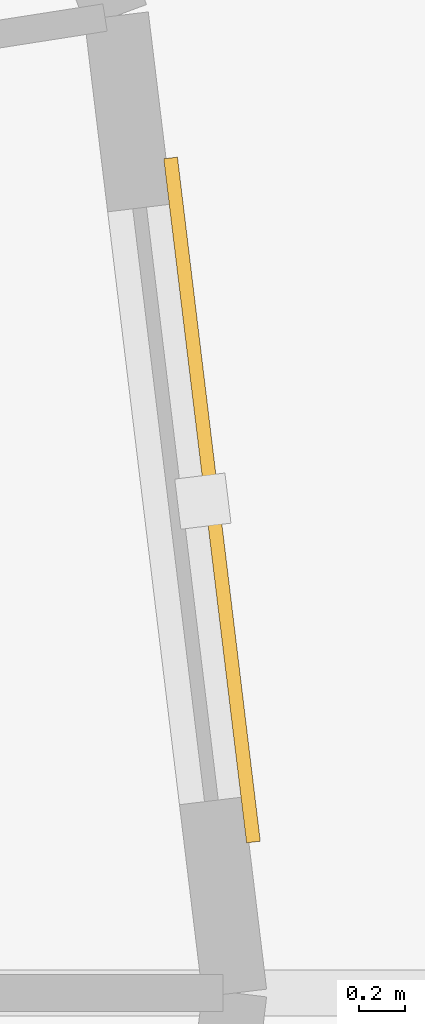
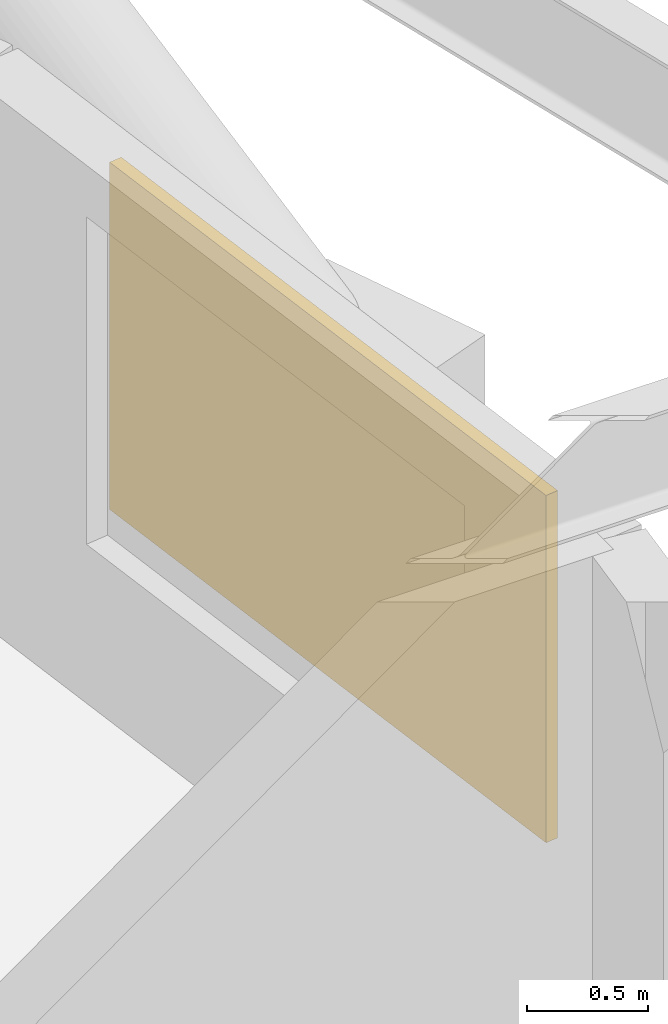
# One storey, part 14 of 14: 1 shading device.
"""IFC4 building model written with IfcOpenShell, lengths in metres."""

from ifc_helpers import new_model, si_unit, direction, frame, origin, origin_2d, place, context, subcontext, project, spatial, rectangle, extrude, material, layer, layer_set, type_object, element, save


model = new_model("IFC4")

# Units and contexts
model_context = context("Model", 3, precision=1e-05, world=origin(), true_north=direction((0.0, 1.0)))
body_context = subcontext(model_context, "Body", "Model", "MODEL_VIEW")
ifc_project = project(units=[si_unit("LENGTHUNIT", "METRE"), si_unit("AREAUNIT", "SQUARE_METRE"), si_unit("VOLUMEUNIT", "CUBIC_METRE"), si_unit("PLANEANGLEUNIT", "RADIAN"), si_unit("MASSUNIT", "GRAM", prefix="KILO")], contexts=[model_context])

# Site, building, storey
site_placement = place(None, origin())
site = spatial("IfcSite", under=ifc_project, at=site_placement, CompositionType="ELEMENT")
building_placement = place(site_placement, origin())
building = spatial("IfcBuilding", under=site, at=building_placement, Name="Veldorina Hangang Commons", CompositionType="ELEMENT")
storey_placement = place(building_placement, frame((0.0, 0.0, 62.800048828125)))
storey = spatial("IfcBuildingStorey", under=building, at=storey_placement, Name="L15", CompositionType="ELEMENT", Elevation=62.800048828125)

# Shading device
ifc_material = material(Name="Ceramic Glazed Terracotta", Category="masonry")
ifc_layer = layer(ifc_material, 0.06005859375)
ifc_layer_set = layer_set([ifc_layer], Name="Ceramic Glazed Terracotta")
shading_device_type = type_object("IfcShadingDeviceType", Name="SCR-CER-3000", PredefinedType="USERDEFINED", material=ifc_layer_set)
shading_device_placement = place(storey_placement, frame((58.71142578125, 26.146728515625, 0.75), z_axis=(0.0, 0.0, 1.0), x_axis=(-0.120188819323, 0.992751050218, 0.0)))
element("IfcShadingDevice", 1, at=shading_device_placement, inside=storey, type_object=shading_device_type, Name="L15 PERFORATED CERAMIC SOLAR SCREEN 00", ObjectType="SCREEN", PredefinedType="USERDEFINED", context=body_context, shape_type="SweptSolid", body=[
    extrude(rectangle(XDim=3.0, YDim=0.06005859375, at=origin_2d()), origin(), (0.0, 0.0, 1.0), 1.75),
])

save(model, "model.ifc")
